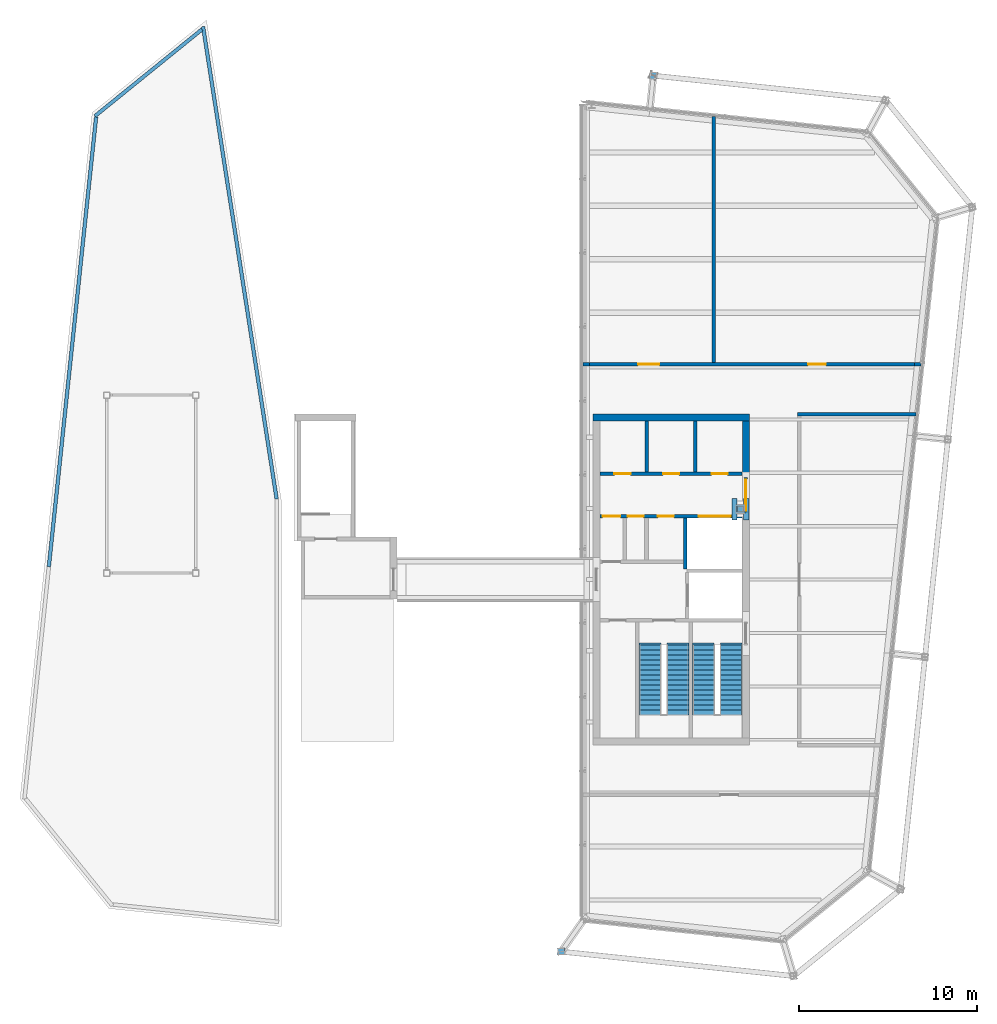
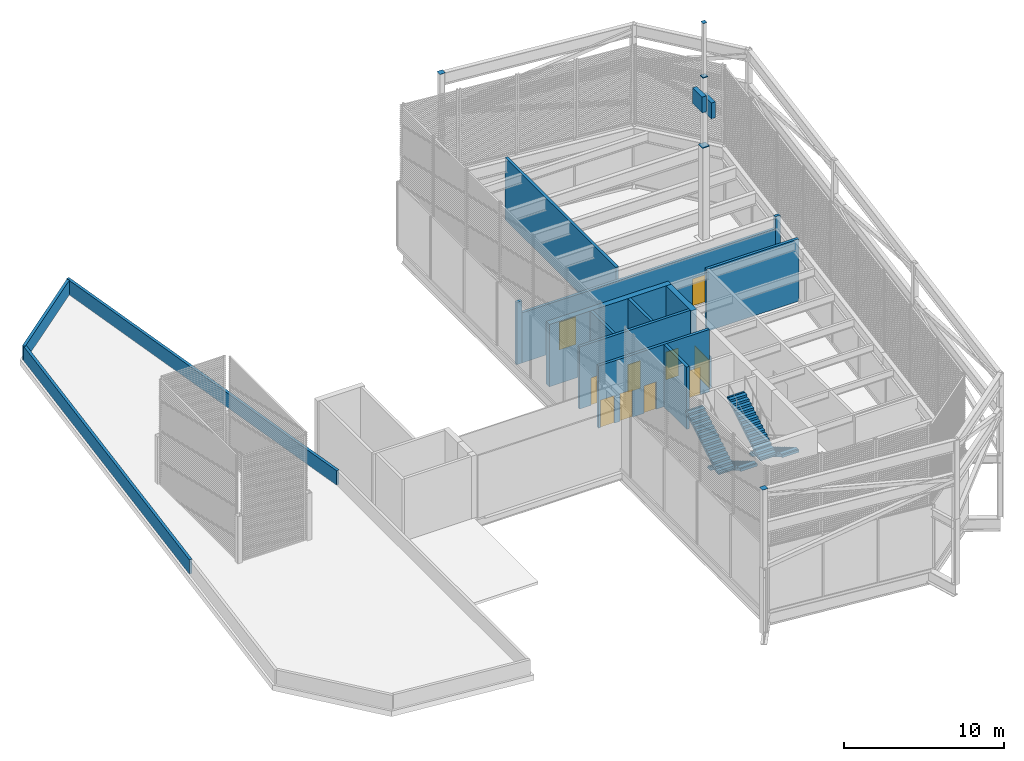
# One storey, part 10 of 11: 16 walls, 10 doors, 7 discrete accessories, 4 stair flights, 10 openings, 2 elements without a shape of their own.
"""IFC4 building model written with IfcOpenShell, lengths in metres."""

from ifc_helpers import new_model, si_unit, direction, frame, frame_2d, origin, origin_2d, place, context, subcontext, project, spatial, polyline, rectangle, outline, extrude, material, layer, layer_set, type_object, element, fill, aggregate, save


model = new_model("IFC4")

# Units and contexts
model_context = context("Model", 3, precision=1e-05, world=origin(), true_north=direction((0.0, 1.0)))
body_context = subcontext(model_context, "Body", "Model", "MODEL_VIEW")
ifc_project = project(units=[si_unit("LENGTHUNIT", "METRE"), si_unit("AREAUNIT", "SQUARE_METRE"), si_unit("VOLUMEUNIT", "CUBIC_METRE"), si_unit("PLANEANGLEUNIT", "RADIAN"), si_unit("MASSUNIT", "GRAM", prefix="KILO")], contexts=[model_context])

# Site, building, storey
site_placement = place(None, origin())
site = spatial("IfcSite", under=ifc_project, at=site_placement, CompositionType="ELEMENT")
building_placement = place(site_placement, origin())
building = spatial("IfcBuilding", under=site, at=building_placement, Name="Millrace Tower", CompositionType="ELEMENT")
storey_placement = place(building_placement, frame((0.0, 0.0, 357.10009765625)))
storey = spatial("IfcBuildingStorey", under=building, at=storey_placement, Name="L82", CompositionType="ELEMENT", Elevation=357.10009765625)

# Walls
ifc_material_1 = material(Name="Concrete C60", Category="concrete")
ifc_layer_1 = layer(ifc_material_1, 0.39990234375)
ifc_layer_set_1 = layer_set([ifc_layer_1], Name="Concrete C60")
wall_type_1 = type_object("IfcWallType", Name="Core wall 400 Concrete C60", PredefinedType="SHEAR", material=ifc_layer_set_1)
wall_1_placement = place(storey_placement, frame((14.300048828125, 9.10009765625, 0.0), z_axis=(0.0, 0.0, 1.0), x_axis=(-1.0, 0.0, 0.0)))
element("IfcWall", 1, at=wall_1_placement, inside=storey, type_object=wall_type_1, Name="Core wall E L82", PredefinedType="SHEAR", context=body_context, shape_type="SweptSolid", body=[
    extrude(rectangle(XDim=8.800048828125, YDim=0.39990234375, at=frame_2d((4.39990234375, 0.0))), origin(), (0.0, 0.0, 1.0), 4.75),
])
wall_2_placement = place(storey_placement, frame((14.10009765625, 8.89990234375, 0.0), z_axis=(0.0, 0.0, 1.0), x_axis=(0.0, -1.0, 0.0)))
element("IfcWall", 2, at=wall_2_placement, inside=storey, type_object=wall_type_1, Name="Core wall E L82", PredefinedType="SHEAR", context=body_context, shape_type="SweptSolid", body=[
    extrude(rectangle(XDim=3.14990234375, YDim=0.39990234375, at=frame_2d((1.574951171875, 0.0))), origin(), (0.0, 0.0, 1.0), 4.75),
])
ifc_material_2 = material(Name="Masonry partition, fire-rated", Category="masonry")
ifc_layer_2 = layer(ifc_material_2, 0.199951171875)
ifc_layer_set_2 = layer_set([ifc_layer_2], Name="Masonry partition, fire-rated")
wall_type_2 = type_object("IfcWallType", Name="Corridor wall 200", PredefinedType="PARTITIONING", material=ifc_layer_set_2)
wall_3_placement = place(storey_placement, frame((17.0, 9.300048828125, 0.0), z_axis=(0.0, 0.0, 1.0), x_axis=(1.0, 0.0, 0.0)))
element("IfcWall", 3, at=wall_3_placement, inside=storey, type_object=wall_type_2, Name="Corridor wall L82", PredefinedType="PARTITIONING", context=body_context, shape_type="SweptSolid", body=[
    extrude(rectangle(XDim=6.656005859375, YDim=0.199951171875, at=frame_2d((3.328125, 0.0))), origin(), (0.0, 0.0, 1.0), 4.75),
])
wall_4_placement = place(storey_placement, frame((4.93994140625, 12.10009765625, 0.0), z_axis=(0.0, 0.0, 1.0), x_axis=(1.0, 0.0, 0.0)))
element("IfcWall", 4, at=wall_4_placement, inside=storey, type_object=wall_type_2, Name="Corridor wall L82", PredefinedType="PARTITIONING", context=body_context, shape_type="SweptSolid", body=[
    extrude(rectangle(XDim=0.367431640625, YDim=0.199951171875, at=frame_2d((0.18359375, 0.0))), origin(), (0.0, 0.0, 1.0), 4.75),
])

# Wall, openings, doors
wall_5_placement = place(storey_placement, frame((5.307373046875, 12.10009765625, 0.0), z_axis=(0.0, 0.0, 1.0), x_axis=(1.0, 0.0, 0.0)))
wall_5 = element("IfcWall", 5, at=wall_5_placement, inside=storey, type_object=wall_type_2, Name="Corridor wall L82", PredefinedType="PARTITIONING", context=body_context, shape_type="SweptSolid", body=[
    extrude(rectangle(XDim=18.262939453125, YDim=0.199951171875, at=frame_2d((9.13134765625, 0.0))), origin(), (0.0, 0.0, 1.0), 3.82275390625),
])
opening_1_placement = place(wall_5_placement, frame((2.737548828125, 0.0, 0.0)))
opening_1 = element("IfcOpeningElement", 6, at=opening_1_placement, cuts=wall_5, Name="Opening 82-P001", PredefinedType="OPENING", context=body_context, shape_type="SweptSolid", body=[
    extrude(rectangle(XDim=1.199951171875, YDim=2.10009765625, at=frame_2d((0.60009765625, 1.050048828125))), frame((0.0, 0.10986328125, 0.0), z_axis=(0.0, -1.0, 0.0), x_axis=(1.0, 0.0, 0.0)), (0.0, 0.0, 1.0), 0.219970703125),
])
opening_2_placement = place(wall_5_placement, frame((12.292724609375, 0.0, 0.0)))
opening_2 = element("IfcOpeningElement", 7, at=opening_2_placement, cuts=wall_5, Name="Opening 82-P002", PredefinedType="OPENING", context=body_context, shape_type="SweptSolid", body=[
    extrude(rectangle(XDim=1.0, YDim=2.10009765625, at=frame_2d((0.5, 1.050048828125))), frame((0.0, 0.10986328125, 0.0), z_axis=(0.0, -1.0, 0.0), x_axis=(1.0, 0.0, 0.0)), (0.0, 0.0, 1.0), 0.219970703125),
])
ifc_material_3 = material(Name="Steel door set, fire-rated", Category="steel")
door_type_1 = type_object("IfcDoorType", Name="Corridor door 1000 x 2100", OperationType="SINGLE_SWING_LEFT", PredefinedType="DOOR", material=ifc_material_3)
door_1_placement = place(opening_2_placement, origin())
door_1 = element("IfcDoor", 8, at=door_1_placement, inside=storey, type_object=door_type_1, Name="Door 82-P002", OperationType="SINGLE_SWING_RIGHT", OverallHeight=2.10009765625, OverallWidth=1.0, PredefinedType="DOOR", context=body_context, shape_type="SweptSolid", body=[
    extrude(rectangle(XDim=1.0, YDim=2.10009765625, at=frame_2d((0.5, 1.050048828125))), frame((0.0, 0.02490234375, 0.0), z_axis=(0.0, -1.0, 0.0), x_axis=(1.0, 0.0, 0.0)), (0.0, 0.0, 1.0), 0.050048828125),
])
fill(opening_2, door_1)
ifc_material_4 = material(Name="Steel door set, fire-rated", Category="steel")
door_type_2 = type_object("IfcDoorType", Name="Plant room door 1200 x 2100", OperationType="SINGLE_SWING_LEFT", PredefinedType="DOOR", material=ifc_material_4)
door_2_placement = place(opening_1_placement, origin())
door_2 = element("IfcDoor", 9, at=door_2_placement, inside=storey, type_object=door_type_2, Name="Door 82-P001", OperationType="SINGLE_SWING_LEFT", OverallHeight=2.10009765625, OverallWidth=1.199951171875, PredefinedType="DOOR", context=body_context, shape_type="SweptSolid", body=[
    extrude(rectangle(XDim=1.199951171875, YDim=2.10009765625, at=frame_2d((0.60009765625, 1.050048828125))), frame((0.0, 0.02490234375, 0.0), z_axis=(0.0, -1.0, 0.0), x_axis=(1.0, 0.0, 0.0)), (0.0, 0.0, 1.0), 0.050048828125),
])
fill(opening_1, door_2)

# Walls
wall_6_placement = place(storey_placement, frame((23.5703125, 12.10009765625, 0.0), z_axis=(0.0, 0.0, 1.0), x_axis=(1.0, 0.0, 0.0)))
element("IfcWall", 10, at=wall_6_placement, inside=storey, type_object=wall_type_2, Name="Corridor wall L82", PredefinedType="PARTITIONING", context=body_context, shape_type="SweptSolid", body=[
    extrude(rectangle(XDim=0.3798828125, YDim=0.199951171875, at=frame_2d((0.18994140625, 0.0))), origin(), (0.0, 0.0, 1.0), 4.75),
])
wall_7_placement = place(storey_placement, frame((12.300048828125, 12.199951171875, 0.0), z_axis=(0.0, 0.0, 1.0), x_axis=(0.0, 1.0, 0.0)))
element("IfcWall", 11, at=wall_7_placement, inside=storey, type_object=wall_type_2, Name="Corridor wall L82", PredefinedType="PARTITIONING", context=body_context, shape_type="SweptSolid", body=[
    extrude(rectangle(XDim=13.81396484375, YDim=0.199951171875, at=frame_2d((6.906982421875, 0.0))), origin(), (0.0, 0.0, 1.0), 4.75),
])

# Wall, openings, doors
ifc_material_5 = material(Name="Masonry partition, fire-rated", Category="masonry")
ifc_layer_3 = layer(ifc_material_5, 0.199951171875)
ifc_layer_set_3 = layer_set([ifc_layer_3], Name="Masonry partition, fire-rated")
wall_type_3 = type_object("IfcWallType", Name="Lift shaft wall 200", PredefinedType="PARTITIONING", material=ifc_layer_set_3)
wall_8_placement = place(storey_placement, frame((13.89990234375, 5.949951171875, 0.0), z_axis=(0.0, 0.0, 1.0), x_axis=(-1.0, 0.0, 0.0)))
wall_8 = element("IfcWall", 12, at=wall_8_placement, inside=storey, type_object=wall_type_3, Name="Lift shaft wall E L82", PredefinedType="PARTITIONING", context=body_context, shape_type="SweptSolid", body=[
    extrude(rectangle(XDim=8.0, YDim=0.199951171875, at=frame_2d((4.0, 0.0))), origin(), (0.0, 0.0, 1.0), 4.75),
])
opening_3_placement = place(wall_8_placement, frame((0.820068359375, 0.0, 0.0)))
opening_3 = element("IfcOpeningElement", 13, at=opening_3_placement, cuts=wall_8, Name="Opening 82-C006", PredefinedType="OPENING", context=body_context, shape_type="SweptSolid", body=[
    extrude(rectangle(XDim=0.89990234375, YDim=2.10009765625, at=frame_2d((0.449951171875, 1.050048828125))), frame((0.0, 0.10986328125, 0.0), z_axis=(0.0, -1.0, 0.0), x_axis=(1.0, 0.0, 0.0)), (0.0, 0.0, 1.0), 0.219970703125),
])
opening_4_placement = place(wall_8_placement, frame((3.550048828125, 0.0, 0.0)))
opening_4 = element("IfcOpeningElement", 14, at=opening_4_placement, cuts=wall_8, Name="Opening 82-C007", PredefinedType="OPENING", context=body_context, shape_type="SweptSolid", body=[
    extrude(rectangle(XDim=0.89990234375, YDim=2.10009765625, at=frame_2d((0.449951171875, 1.050048828125))), frame((0.0, 0.10986328125, 0.0), z_axis=(0.0, -1.0, 0.0), x_axis=(1.0, 0.0, 0.0)), (0.0, 0.0, 1.0), 0.219970703125),
])
opening_5_placement = place(wall_8_placement, frame((6.280029296875, 0.0, 0.0)))
opening_5 = element("IfcOpeningElement", 15, at=opening_5_placement, cuts=wall_8, Name="Opening 82-C008", PredefinedType="OPENING", context=body_context, shape_type="SweptSolid", body=[
    extrude(rectangle(XDim=0.89990234375, YDim=2.10009765625, at=frame_2d((0.449951171875, 1.050048828125))), frame((0.0, 0.10986328125, 0.0), z_axis=(0.0, -1.0, 0.0), x_axis=(1.0, 0.0, 0.0)), (0.0, 0.0, 1.0), 0.219970703125),
])
ifc_material_6 = material(Name="Steel door, fire-rated", Category="steel")
door_type_3 = type_object("IfcDoorType", Name="Service room door 900 x 2100", OperationType="SINGLE_SWING_LEFT", PredefinedType="DOOR", material=ifc_material_6)
door_3_placement = place(opening_3_placement, frame((0.89990234375, 0.0, 0.0), z_axis=(0.0, 0.0, 1.0), x_axis=(-1.0, 0.0, 0.0)))
door_3 = element("IfcDoor", 16, at=door_3_placement, inside=storey, type_object=door_type_3, Name="Service room door 82-C006", OperationType="SINGLE_SWING_RIGHT", OverallHeight=2.10009765625, OverallWidth=0.89990234375, PredefinedType="DOOR", context=body_context, shape_type="SweptSolid", body=[
    extrude(rectangle(XDim=0.89990234375, YDim=2.10009765625, at=frame_2d((0.449951171875, 1.050048828125))), frame((0.0, 0.02490234375, 0.0), z_axis=(0.0, -1.0, 0.0), x_axis=(1.0, 0.0, 0.0)), (0.0, 0.0, 1.0), 0.050048828125),
])
fill(opening_3, door_3)
door_4_placement = place(opening_4_placement, frame((0.89990234375, 0.0, 0.0), z_axis=(0.0, 0.0, 1.0), x_axis=(-1.0, 0.0, 0.0)))
door_4 = element("IfcDoor", 17, at=door_4_placement, inside=storey, type_object=door_type_3, Name="Service room door 82-C007", OperationType="SINGLE_SWING_LEFT", OverallHeight=2.10009765625, OverallWidth=0.89990234375, PredefinedType="DOOR", context=body_context, shape_type="SweptSolid", body=[
    extrude(rectangle(XDim=0.89990234375, YDim=2.10009765625, at=frame_2d((0.449951171875, 1.050048828125))), frame((0.0, 0.02490234375, 0.0), z_axis=(0.0, -1.0, 0.0), x_axis=(1.0, 0.0, 0.0)), (0.0, 0.0, 1.0), 0.050048828125),
])
fill(opening_4, door_4)
door_5_placement = place(opening_5_placement, frame((0.89990234375, 0.0, 0.0), z_axis=(0.0, 0.0, 1.0), x_axis=(-1.0, 0.0, 0.0)))
door_5 = element("IfcDoor", 18, at=door_5_placement, inside=storey, type_object=door_type_3, Name="Service room door 82-C008", OperationType="SINGLE_SWING_LEFT", OverallHeight=2.10009765625, OverallWidth=0.89990234375, PredefinedType="DOOR", context=body_context, shape_type="SweptSolid", body=[
    extrude(rectangle(XDim=0.89990234375, YDim=2.10009765625, at=frame_2d((0.449951171875, 1.050048828125))), frame((0.0, 0.02490234375, 0.0), z_axis=(0.0, -1.0, 0.0), x_axis=(1.0, 0.0, 0.0)), (0.0, 0.0, 1.0), 0.050048828125),
])
fill(opening_5, door_5)

wall_9_placement = place(storey_placement, frame((13.89990234375, 3.550048828125, 0.0), z_axis=(0.0, 0.0, 1.0), x_axis=(-1.0, 0.0, 0.0)))
wall_9 = element("IfcWall", 19, at=wall_9_placement, inside=storey, type_object=wall_type_3, Name="Lift shaft wall E L82", PredefinedType="PARTITIONING", context=body_context, shape_type="SweptSolid", body=[
    extrude(rectangle(XDim=8.0, YDim=0.199951171875, at=frame_2d((4.0, 0.0))), origin(), (0.0, 0.0, 1.0), 4.75),
])
opening_6_placement = place(wall_9_placement, frame((0.64990234375, 0.0, 0.0)))
opening_6 = element("IfcOpeningElement", 20, at=opening_6_placement, cuts=wall_9, Name="Opening 82-LD13", PredefinedType="OPENING", context=body_context, shape_type="SweptSolid", body=[
    extrude(rectangle(XDim=1.800048828125, YDim=2.10009765625, at=frame_2d((0.89990234375, 1.050048828125))), frame((0.0, 0.10986328125, 0.0), z_axis=(0.0, -1.0, 0.0), x_axis=(1.0, 0.0, 0.0)), (0.0, 0.0, 1.0), 0.219970703125),
])
opening_7_placement = place(wall_9_placement, frame((3.840087890625, 0.0, 0.0)))
opening_7 = element("IfcOpeningElement", 21, at=opening_7_placement, cuts=wall_9, Name="Opening 82-C009", PredefinedType="OPENING", context=body_context, shape_type="SweptSolid", body=[
    extrude(rectangle(XDim=0.89990234375, YDim=2.10009765625, at=frame_2d((0.449951171875, 1.050048828125))), frame((0.0, 0.10986328125, 0.0), z_axis=(0.0, -1.0, 0.0), x_axis=(1.0, 0.0, 0.0)), (0.0, 0.0, 1.0), 0.219970703125),
])
opening_8_placement = place(wall_9_placement, frame((5.5400390625, 0.0, 0.0)))
opening_8 = element("IfcOpeningElement", 22, at=opening_8_placement, cuts=wall_9, Name="Opening 82-C010", PredefinedType="OPENING", context=body_context, shape_type="SweptSolid", body=[
    extrude(rectangle(XDim=0.89990234375, YDim=2.10009765625, at=frame_2d((0.449951171875, 1.050048828125))), frame((0.0, 0.10986328125, 0.0), z_axis=(0.0, -1.0, 0.0), x_axis=(1.0, 0.0, 0.0)), (0.0, 0.0, 1.0), 0.219970703125),
])
opening_9_placement = place(wall_9_placement, frame((6.85009765625, 0.0, 0.0)))
opening_9 = element("IfcOpeningElement", 23, at=opening_9_placement, cuts=wall_9, Name="Opening 82-C011", PredefinedType="OPENING", context=body_context, shape_type="SweptSolid", body=[
    extrude(rectangle(XDim=1.0, YDim=2.10009765625, at=frame_2d((0.5, 1.050048828125))), frame((0.0, 0.10986328125, 0.0), z_axis=(0.0, -1.0, 0.0), x_axis=(1.0, 0.0, 0.0)), (0.0, 0.0, 1.0), 0.219970703125),
])
ifc_material_7 = material(Name="Stainless steel, fire-rated", Category="steel")
door_type_4 = type_object("IfcDoorType", Name="Lift landing door 1800 x 2100", OperationType="DOUBLE_DOOR_SLIDING", PredefinedType="DOOR", material=ifc_material_7)
door_6_placement = place(opening_6_placement, origin())
door_6 = element("IfcDoor", 24, at=door_6_placement, inside=storey, type_object=door_type_4, Name="Lift landing door LF13 L82", OperationType="DOUBLE_DOOR_SLIDING", OverallHeight=2.10009765625, OverallWidth=1.800048828125, PredefinedType="DOOR", context=body_context, shape_type="SweptSolid", body=[
    extrude(rectangle(XDim=1.800048828125, YDim=2.10009765625, at=frame_2d((0.89990234375, 1.050048828125))), frame((0.0, 0.02490234375, 0.0), z_axis=(0.0, -1.0, 0.0), x_axis=(1.0, 0.0, 0.0)), (0.0, 0.0, 1.0), 0.050048828125),
])
fill(opening_6, door_6)
ifc_material_8 = material(Name="Steel door, fire-rated", Category="steel")
door_type_5 = type_object("IfcDoorType", Name="Lobby door 1000 x 2100", OperationType="SINGLE_SWING_LEFT", PredefinedType="DOOR", material=ifc_material_8)
door_7_placement = place(opening_9_placement, origin())
door_7 = element("IfcDoor", 25, at=door_7_placement, inside=storey, type_object=door_type_5, Name="Lobby door 82-C011", OperationType="SINGLE_SWING_LEFT", OverallHeight=2.10009765625, OverallWidth=1.0, PredefinedType="DOOR", context=body_context, shape_type="SweptSolid", body=[
    extrude(rectangle(XDim=1.0, YDim=2.10009765625, at=frame_2d((0.5, 1.050048828125))), frame((0.0, 0.02490234375, 0.0), z_axis=(0.0, -1.0, 0.0), x_axis=(1.0, 0.0, 0.0)), (0.0, 0.0, 1.0), 0.050048828125),
])
fill(opening_9, door_7)
door_8_placement = place(opening_7_placement, origin())
door_8 = element("IfcDoor", 26, at=door_8_placement, inside=storey, type_object=door_type_3, Name="Service room door 82-C009", OperationType="SINGLE_SWING_RIGHT", OverallHeight=2.10009765625, OverallWidth=0.89990234375, PredefinedType="DOOR", context=body_context, shape_type="SweptSolid", body=[
    extrude(rectangle(XDim=0.89990234375, YDim=2.10009765625, at=frame_2d((0.449951171875, 1.050048828125))), frame((0.0, 0.02490234375, 0.0), z_axis=(0.0, -1.0, 0.0), x_axis=(1.0, 0.0, 0.0)), (0.0, 0.0, 1.0), 0.050048828125),
])
fill(opening_7, door_8)
door_9_placement = place(opening_8_placement, origin())
door_9 = element("IfcDoor", 27, at=door_9_placement, inside=storey, type_object=door_type_3, Name="Service room door 82-C010", OperationType="SINGLE_SWING_RIGHT", OverallHeight=2.10009765625, OverallWidth=0.89990234375, PredefinedType="DOOR", context=body_context, shape_type="SweptSolid", body=[
    extrude(rectangle(XDim=0.89990234375, YDim=2.10009765625, at=frame_2d((0.449951171875, 1.050048828125))), frame((0.0, 0.02490234375, 0.0), z_axis=(0.0, -1.0, 0.0), x_axis=(1.0, 0.0, 0.0)), (0.0, 0.0, 1.0), 0.050048828125),
])
fill(opening_8, door_9)

# Wall
wall_10_placement = place(storey_placement, frame((10.699951171875, 3.449951171875, 0.0), z_axis=(0.0, 0.0, 1.0), x_axis=(0.0, -1.0, 0.0)))
element("IfcWall", 28, at=wall_10_placement, inside=storey, type_object=wall_type_3, Name="Lift shaft wall E L82", PredefinedType="PARTITIONING", context=body_context, shape_type="SweptSolid", body=[
    extrude(rectangle(XDim=2.849853515625, YDim=0.199951171875, at=frame_2d((1.4248046875, 0.0))), origin(), (0.0, 0.0, 1.0), 4.75),
])

# Wall, opening, door
ifc_material_9 = material(Name="Masonry partition, fire-rated", Category="masonry")
ifc_layer_4 = layer(ifc_material_9, 0.199951171875)
ifc_layer_set_4 = layer_set([ifc_layer_4], Name="Masonry partition, fire-rated")
wall_type_4 = type_object("IfcWallType", Name="Lobby wall 200", PredefinedType="PARTITIONING", material=ifc_layer_set_4)
wall_11_placement = place(storey_placement, frame((14.10009765625, 5.75, 0.0), z_axis=(0.0, 0.0, 1.0), x_axis=(0.0, -1.0, 0.0)))
wall_11 = element("IfcWall", 29, at=wall_11_placement, inside=storey, type_object=wall_type_4, Name="Lobby wall E L82", PredefinedType="PARTITIONING", context=body_context, shape_type="SweptSolid", body=[
    extrude(rectangle(XDim=2.0, YDim=0.199951171875, at=frame_2d((1.0, 0.0))), origin(), (0.0, 0.0, 1.0), 2.39990234375),
])
opening_10_placement = place(wall_11_placement, frame((0.10009765625, 0.0, 0.0)))
opening_10 = element("IfcOpeningElement", 30, at=opening_10_placement, cuts=wall_11, Name="Opening 82-C003", PredefinedType="OPENING", context=body_context, shape_type="SweptSolid", body=[
    extrude(rectangle(XDim=1.800048828125, YDim=2.10009765625, at=frame_2d((0.89990234375, 1.050048828125))), frame((0.0, 0.10986328125, 0.0), z_axis=(0.0, -1.0, 0.0), x_axis=(1.0, 0.0, 0.0)), (0.0, 0.0, 1.0), 0.219970703125),
])
ifc_material_10 = material(Name="Steel door, fire-rated", Category="steel")
door_type_6 = type_object("IfcDoorType", Name="Lobby door 1800 x 2100", OperationType="DOUBLE_DOOR_SINGLE_SWING", PredefinedType="DOOR", material=ifc_material_10)
door_10_placement = place(opening_10_placement, origin())
door_10 = element("IfcDoor", 31, at=door_10_placement, inside=storey, type_object=door_type_6, Name="Lobby door 82-C003", OperationType="DOUBLE_DOOR_SINGLE_SWING", OverallHeight=2.10009765625, OverallWidth=1.800048828125, PredefinedType="DOOR", context=body_context, shape_type="SweptSolid", body=[
    extrude(rectangle(XDim=1.800048828125, YDim=2.10009765625, at=frame_2d((0.89990234375, 1.050048828125))), frame((0.0, 0.02490234375, 0.0), z_axis=(0.0, -1.0, 0.0), x_axis=(1.0, 0.0, 0.0)), (0.0, 0.0, 1.0), 0.050048828125),
])
fill(opening_10, door_10)

# Walls
ifc_material_11 = material(Name="Concrete C40", Category="concrete")
ifc_layer_5 = layer(ifc_material_11, 0.199951171875)
ifc_layer_set_5 = layer_set([ifc_layer_5], Name="Concrete C40")
wall_type_5 = type_object("IfcWallType", Name="Roof parapet 1100", PredefinedType="PARAPET", material=ifc_layer_set_5)
wall_12_placement = place(storey_placement, frame((-12.265380859375, 4.52880859375, 1.419921875), z_axis=(0.0, 0.0, 1.0), x_axis=(-0.153918142346, 0.988083602463, 0.0)))
element("IfcWall", 32, at=wall_12_placement, inside=storey, type_object=wall_type_5, Name="Crown roof parapet W 1", PredefinedType="PARAPET", context=body_context, shape_type="SweptSolid", body=[
    extrude(rectangle(XDim=26.869873046875, YDim=0.199951171875, at=frame_2d((13.43505859375, 0.0))), origin(), (0.0, 0.0, 1.0), 1.10009765625),
])
wall_13_placement = place(storey_placement, frame((-16.46337890625, 30.916748046875, 1.419921875), z_axis=(0.0, 0.0, 1.0), x_axis=(-0.777139794023, -0.62932800712, 0.0)))
element("IfcWall", 33, at=wall_13_placement, inside=storey, type_object=wall_type_5, Name="Crown roof parapet W 2", PredefinedType="PARAPET", context=body_context, shape_type="SweptSolid", body=[
    extrude(rectangle(XDim=7.73828125, YDim=0.199951171875, at=frame_2d((3.869140625, 0.0))), origin(), (0.0, 0.0, 1.0), 1.10009765625),
])
wall_14_placement = place(storey_placement, frame((-22.40966796875, 26.010498046875, 1.419921875), z_axis=(0.0, 0.0, 1.0), x_axis=(-0.104527351206, -0.99452201225, 0.0)))
element("IfcWall", 34, at=wall_14_placement, inside=storey, type_object=wall_type_5, Name="Crown roof parapet W 3", PredefinedType="PARAPET", context=body_context, shape_type="SweptSolid", body=[
    extrude(rectangle(XDim=25.428466796875, YDim=0.199951171875, at=frame_2d((12.71435546875, 0.0))), origin(), (0.0, 0.0, 1.0), 1.10009765625),
])
ifc_material_12 = material(Name="Masonry partition, fire-rated", Category="masonry")
ifc_layer_6 = layer(ifc_material_12, 0.199951171875)
ifc_layer_set_6 = layer_set([ifc_layer_6], Name="Masonry partition, fire-rated")
wall_type_6 = type_object("IfcWallType", Name="Room partition 200", PredefinedType="PARTITIONING", material=ifc_layer_set_6)
for number, where, z_axis, x_axis, name in (
    (35, (11.260009765625, 8.89990234375, 0.0), (0.0, 0.0, 1.0), (0.0, -1.0, 0.0), "Room partition E L82"),
    (36, (8.5400390625, 8.89990234375, 0.0), (0.0, 0.0, 1.0), (0.0, -1.0, 0.0), "Room partition E L82"),
):
    element("IfcWall", number, at=place(storey_placement, frame(where, z_axis=z_axis, x_axis=x_axis)), inside=storey, type_object=wall_type_6, Name=name, PredefinedType="PARTITIONING", context=body_context, shape_type="SweptSolid", body=[
        extrude(rectangle(XDim=2.849853515625, YDim=0.199951171875, at=frame_2d((1.4248046875, 0.0))), origin(), (0.0, 0.0, 1.0), 4.75),
    ])

# Stair, stair flights
ifc_material_13 = material(Name="Concrete C35", Category="concrete")
stair_type = type_object("IfcStairType", Name="Exit stair", PredefinedType="HALF_TURN_STAIR", material=ifc_material_13)
placement = place(storey_placement, origin())
stair_1 = element("IfcStair", 37, at=placement, inside=storey, type_object=stair_type, Name="Stair 1 E L82", PredefinedType="HALF_TURN_STAIR")
ifc_material_14 = material(Name="Concrete C35", Category="concrete")
stair_flight_type = type_object("IfcStairFlightType", Name="Exit stair flight", PredefinedType="STRAIGHT", material=ifc_material_14)
stair_flight_1_placement = place(storey_placement, frame((13.2900390625, -3.679931640625, 0.0), z_axis=(0.0, 0.0, 1.0), x_axis=(0.0, -1.0, 0.0)))
stair_flight_1 = element("IfcStairFlight", 38, at=stair_flight_1_placement, type_object=stair_flight_type, Name="ST12 flight 1", NumberOfRisers=15, NumberOfTreads=14, PredefinedType="STRAIGHT", RiserHeight=0.166666667, TreadLength=0.28, context=body_context, shape_type="SweptSolid", body=[
    extrude(outline(polyline([(-0.1201171875, -0.0400390625), (-0.1201171875, 0.0), (0.0, 0.0), (0.0, 0.166748046875), (0.280029296875, 0.166748046875), (0.280029296875, 0.333251953125), (0.56005859375, 0.333251953125), (0.56005859375, 0.5), (0.840087890625, 0.5), (0.840087890625, 0.666748046875), (1.1201171875, 0.666748046875), (1.1201171875, 0.833251953125), (1.39990234375, 0.833251953125), (1.39990234375, 1.0), (1.679931640625, 1.0), (1.679931640625, 1.166748046875), (1.9599609375, 1.166748046875), (1.9599609375, 1.333251953125), (2.239990234375, 1.333251953125), (2.239990234375, 1.5), (2.52001953125, 1.5), (2.52001953125, 1.666748046875), (2.800048828125, 1.666748046875), (2.800048828125, 1.833251953125), (3.080078125, 1.833251953125), (3.080078125, 2.0), (3.360107421875, 2.0), (3.360107421875, 2.166748046875), (3.639892578125, 2.166748046875), (3.639892578125, 2.333251953125), (3.919921875, 2.333251953125), (3.919921875, 2.353271484375), (4.0400390625, 2.353271484375), (4.0400390625, 2.158935546875), (3.919921875, 2.158935546875), (0.29296875, 0.0), (0.29296875, -0.0400390625), (-0.1201171875, -0.0400390625)])), frame((0.0, 0.60986328125, 0.0), z_axis=(0.0, -1.0, 0.0), x_axis=(1.0, 0.0, 0.0)), (0.0, 0.0, 1.0), 1.219970703125),
])
stair_flight_2_placement = place(storey_placement, frame((11.7099609375, -7.60009765625, 2.5), z_axis=(0.0, 0.0, 1.0), x_axis=(0.0, 1.0, 0.0)))
stair_flight_2 = element("IfcStairFlight", 39, at=stair_flight_2_placement, type_object=stair_flight_type, Name="ST12 flight 2", NumberOfRisers=15, NumberOfTreads=14, PredefinedType="STRAIGHT", RiserHeight=0.166666667, TreadLength=0.28, context=body_context, shape_type="SweptSolid", body=[
    extrude(outline(polyline([(-0.1201171875, -0.0400390625), (-0.1201171875, 0.0), (0.0, 0.0), (0.0, 0.166748046875), (0.280029296875, 0.166748046875), (0.280029296875, 0.333251953125), (0.56005859375, 0.333251953125), (0.56005859375, 0.5), (0.840087890625, 0.5), (0.840087890625, 0.666748046875), (1.1201171875, 0.666748046875), (1.1201171875, 0.833251953125), (1.39990234375, 0.833251953125), (1.39990234375, 1.0), (1.679931640625, 1.0), (1.679931640625, 1.166748046875), (1.9599609375, 1.166748046875), (1.9599609375, 1.333251953125), (2.239990234375, 1.333251953125), (2.239990234375, 1.5), (2.52001953125, 1.5), (2.52001953125, 1.666748046875), (2.800048828125, 1.666748046875), (2.800048828125, 1.833251953125), (3.080078125, 1.833251953125), (3.080078125, 2.0), (3.360107421875, 2.0), (3.360107421875, 2.166748046875), (3.639892578125, 2.166748046875), (3.639892578125, 2.333251953125), (3.919921875, 2.333251953125), (3.919921875, 2.353271484375), (4.0400390625, 2.353271484375), (4.0400390625, 2.158935546875), (3.919921875, 2.158935546875), (0.29296875, 0.0), (0.29296875, -0.0400390625), (-0.1201171875, -0.0400390625)])), frame((0.0, 0.60986328125, 0.0), z_axis=(0.0, -1.0, 0.0), x_axis=(1.0, 0.0, 0.0)), (0.0, 0.0, 1.0), 1.219970703125),
])
aggregate(stair_1, [stair_flight_1, stair_flight_2])

stair_2 = element("IfcStair", 40, at=placement, inside=storey, type_object=stair_type, Name="Stair 2 E L82", PredefinedType="HALF_TURN_STAIR")
stair_flight_3_placement = place(storey_placement, frame((10.2900390625, -3.679931640625, 0.0), z_axis=(0.0, 0.0, 1.0), x_axis=(0.0, -1.0, 0.0)))
stair_flight_3 = element("IfcStairFlight", 41, at=stair_flight_3_placement, type_object=stair_flight_type, Name="ST12 flight 1", NumberOfRisers=15, NumberOfTreads=14, PredefinedType="STRAIGHT", RiserHeight=0.166666667, TreadLength=0.28, context=body_context, shape_type="SweptSolid", body=[
    extrude(outline(polyline([(-0.1201171875, -0.0400390625), (-0.1201171875, 0.0), (0.0, 0.0), (0.0, 0.166748046875), (0.280029296875, 0.166748046875), (0.280029296875, 0.333251953125), (0.56005859375, 0.333251953125), (0.56005859375, 0.5), (0.840087890625, 0.5), (0.840087890625, 0.666748046875), (1.1201171875, 0.666748046875), (1.1201171875, 0.833251953125), (1.39990234375, 0.833251953125), (1.39990234375, 1.0), (1.679931640625, 1.0), (1.679931640625, 1.166748046875), (1.9599609375, 1.166748046875), (1.9599609375, 1.333251953125), (2.239990234375, 1.333251953125), (2.239990234375, 1.5), (2.52001953125, 1.5), (2.52001953125, 1.666748046875), (2.800048828125, 1.666748046875), (2.800048828125, 1.833251953125), (3.080078125, 1.833251953125), (3.080078125, 2.0), (3.360107421875, 2.0), (3.360107421875, 2.166748046875), (3.639892578125, 2.166748046875), (3.639892578125, 2.333251953125), (3.919921875, 2.333251953125), (3.919921875, 2.353271484375), (4.0400390625, 2.353271484375), (4.0400390625, 2.158935546875), (3.919921875, 2.158935546875), (0.29296875, 0.0), (0.29296875, -0.0400390625), (-0.1201171875, -0.0400390625)])), frame((0.0, 0.60986328125, 0.0), z_axis=(0.0, -1.0, 0.0), x_axis=(1.0, 0.0, 0.0)), (0.0, 0.0, 1.0), 1.219970703125),
])
stair_flight_4_placement = place(storey_placement, frame((8.7099609375, -7.60009765625, 2.5), z_axis=(0.0, 0.0, 1.0), x_axis=(0.0, 1.0, 0.0)))
stair_flight_4 = element("IfcStairFlight", 42, at=stair_flight_4_placement, type_object=stair_flight_type, Name="ST12 flight 2", NumberOfRisers=15, NumberOfTreads=14, PredefinedType="STRAIGHT", RiserHeight=0.166666667, TreadLength=0.28, context=body_context, shape_type="SweptSolid", body=[
    extrude(outline(polyline([(-0.1201171875, -0.0400390625), (-0.1201171875, 0.0), (0.0, 0.0), (0.0, 0.166748046875), (0.280029296875, 0.166748046875), (0.280029296875, 0.333251953125), (0.56005859375, 0.333251953125), (0.56005859375, 0.5), (0.840087890625, 0.5), (0.840087890625, 0.666748046875), (1.1201171875, 0.666748046875), (1.1201171875, 0.833251953125), (1.39990234375, 0.833251953125), (1.39990234375, 1.0), (1.679931640625, 1.0), (1.679931640625, 1.166748046875), (1.9599609375, 1.166748046875), (1.9599609375, 1.333251953125), (2.239990234375, 1.333251953125), (2.239990234375, 1.5), (2.52001953125, 1.5), (2.52001953125, 1.666748046875), (2.800048828125, 1.666748046875), (2.800048828125, 1.833251953125), (3.080078125, 1.833251953125), (3.080078125, 2.0), (3.360107421875, 2.0), (3.360107421875, 2.166748046875), (3.639892578125, 2.166748046875), (3.639892578125, 2.333251953125), (3.919921875, 2.333251953125), (3.919921875, 2.353271484375), (4.0400390625, 2.353271484375), (4.0400390625, 2.158935546875), (3.919921875, 2.158935546875), (0.29296875, 0.0), (0.29296875, -0.0400390625), (-0.1201171875, -0.0400390625)])), frame((0.0, 0.60986328125, 0.0), z_axis=(0.0, -1.0, 0.0), x_axis=(1.0, 0.0, 0.0)), (0.0, 0.0, 1.0), 1.219970703125),
])
aggregate(stair_2, [stair_flight_3, stair_flight_4])

# Discrete accessories
ifc_material_15 = material(Name="Steel ASTM A36", Category="steel")
ifc_layer_7 = layer(ifc_material_15, 0.011962890625)
ifc_layer_set_7 = layer_set([ifc_layer_7], Name="Steel ASTM A36")
discrete_accessory_type_1 = type_object("IfcDiscreteAccessoryType", Name="CROWN FRAME post cap plate 400", PredefinedType="BRACKET", material=ifc_layer_set_7)
for number, where, z_axis, x_axis, name in (
    (43, (3.729248046875, -20.9072265625, 11.0), (0.0, 0.0, 1.0), (1.0, 0.0, 0.0), "CROWN FRAME post cap plate E.1"),
    (44, (8.9033203125, 28.321533203125, 11.0), (0.0, 0.0, 1.0), (1.0, 0.0, 0.0), "CROWN FRAME post cap plate E.8"),
):
    element("IfcDiscreteAccessory", number, at=place(storey_placement, frame(where, z_axis=z_axis, x_axis=x_axis)), inside=storey, type_object=discrete_accessory_type_1, Name=name, PredefinedType="BRACKET", context=body_context, shape_type="SweptSolid", body=[
        extrude(rectangle(XDim=0.39990234375, YDim=0.39990234375, at=origin_2d()), origin(), (0.0, 0.0, 1.0), 0.011962890625),
    ])
ifc_material_16 = material(Name="Galvanised steel", Category="steel")
discrete_accessory_type_2 = type_object("IfcDiscreteAccessoryType", Name="SPIRE antenna dish 1200", PredefinedType="USERDEFINED", material=ifc_material_16)
discrete_accessory_1_placement = place(storey_placement, frame((14.120849609375, 3.962158203125, 20.806640625), z_axis=(0.0, 0.0, 1.0), x_axis=(1.0, 0.0, 0.0)))
element("IfcDiscreteAccessory", 45, at=discrete_accessory_1_placement, inside=storey, type_object=discrete_accessory_type_2, Name="SPIRE antenna dish 1", ObjectType="SPIRE antenna dish 1", PredefinedType="USERDEFINED", context=body_context, shape_type="SweptSolid", body=[
    extrude(rectangle(XDim=0.300048828125, YDim=1.199951171875, at=origin_2d()), origin(), (0.0, 0.0, 1.0), 1.199951171875),
])
discrete_accessory_2_placement = place(storey_placement, frame((13.46533203125, 3.962158203125, 21.4921875), z_axis=(0.0, 0.0, 1.0), x_axis=(1.0, 0.0, 0.0)))
element("IfcDiscreteAccessory", 46, at=discrete_accessory_2_placement, inside=storey, type_object=discrete_accessory_type_2, Name="SPIRE antenna dish 2", ObjectType="SPIRE antenna dish 2", PredefinedType="USERDEFINED", context=body_context, shape_type="SweptSolid", body=[
    extrude(rectangle(XDim=0.300048828125, YDim=1.199951171875, at=origin_2d()), origin(), (0.0, 0.0, 1.0), 1.199951171875),
])
ifc_material_17 = material(Name="Steel ASTM A36", Category="steel")
ifc_layer_8 = layer(ifc_material_17, 0.008056640625)
ifc_layer_set_8 = layer_set([ifc_layer_8], Name="Steel ASTM A36")
discrete_accessory_type_3 = type_object("IfcDiscreteAccessoryType", Name="SPIRE mast cap plate 300", PredefinedType="BRACKET", material=ifc_layer_set_8)
discrete_accessory_3_placement = place(storey_placement, frame((13.793212890625, 3.962158203125, 27.89208984375), z_axis=(0.0, 0.0, 1.0), x_axis=(1.0, 0.0, 0.0)))
element("IfcDiscreteAccessory", 47, at=discrete_accessory_3_placement, inside=storey, type_object=discrete_accessory_type_3, Name="SPIRE mast cap plate", PredefinedType="BRACKET", context=body_context, shape_type="SweptSolid", body=[
    extrude(rectangle(XDim=0.300048828125, YDim=0.300048828125, at=origin_2d()), origin(), (0.0, 0.0, 1.0), 0.008056640625),
])
ifc_material_18 = material(Name="Steel ASTM A36", Category="steel")
ifc_layer_9 = layer(ifc_material_18, 0.050048828125)
ifc_layer_set_9 = layer_set([ifc_layer_9], Name="Steel ASTM A36")
discrete_accessory_type_4 = type_object("IfcDiscreteAccessoryType", Name="SPIRE mast splice plate 356", PredefinedType="BRACKET", material=ifc_layer_set_9)
discrete_accessory_4_placement = place(storey_placement, frame((13.793212890625, 3.962158203125, 23.7548828125), z_axis=(0.0, 0.0, 1.0), x_axis=(1.0, 0.0, 0.0)))
element("IfcDiscreteAccessory", 48, at=discrete_accessory_4_placement, inside=storey, type_object=discrete_accessory_type_4, Name="SPIRE mast splice plate 2", PredefinedType="BRACKET", context=body_context, shape_type="SweptSolid", body=[
    extrude(rectangle(XDim=0.355712890625, YDim=0.355712890625, at=origin_2d()), origin(), (0.0, 0.0, 1.0), 0.050048828125),
])
ifc_material_19 = material(Name="Steel ASTM A36", Category="steel")
ifc_layer_10 = layer(ifc_material_19, 0.050048828125)
ifc_layer_set_10 = layer_set([ifc_layer_10], Name="Steel ASTM A36")
discrete_accessory_type_5 = type_object("IfcDiscreteAccessoryType", Name="SPIRE mast splice plate 508", PredefinedType="BRACKET", material=ifc_layer_set_10)
discrete_accessory_5_placement = place(storey_placement, frame((13.793212890625, 3.962158203125, 18.4814453125), z_axis=(0.0, 0.0, 1.0), x_axis=(1.0, 0.0, 0.0)))
element("IfcDiscreteAccessory", 49, at=discrete_accessory_5_placement, inside=storey, type_object=discrete_accessory_type_5, Name="SPIRE mast splice plate 1", PredefinedType="BRACKET", context=body_context, shape_type="SweptSolid", body=[
    extrude(rectangle(XDim=0.508056640625, YDim=0.508056640625, at=origin_2d()), origin(), (0.0, 0.0, 1.0), 0.050048828125),
])

save(model, "model.ifc")
